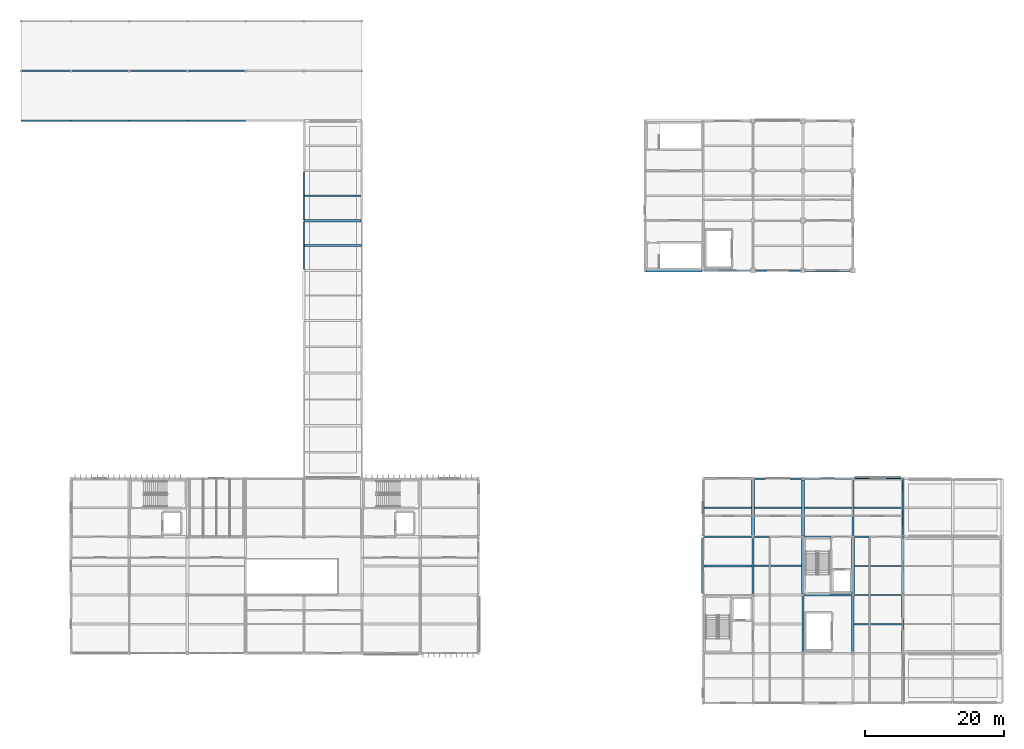
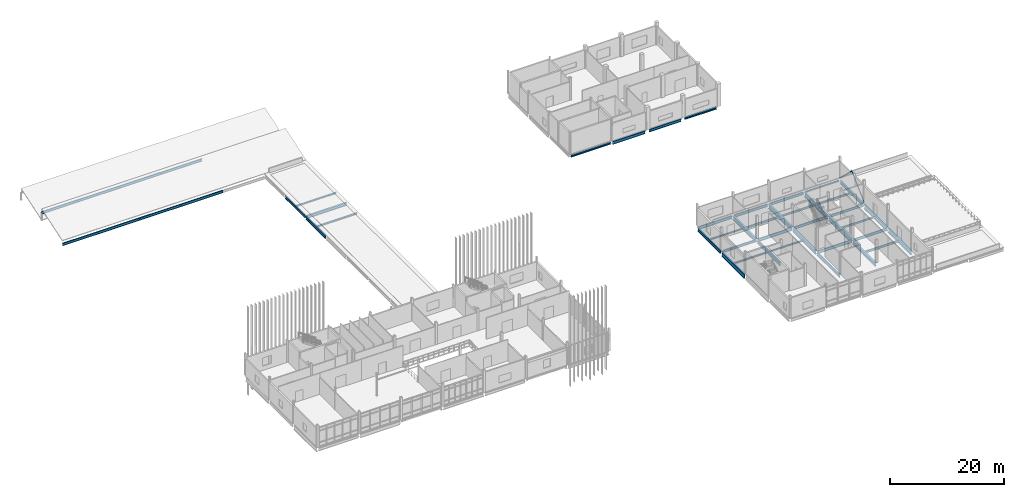
# One storey, part 26 of 72: 48 beams, 2 members.
"""IFC4 building model written with IfcOpenShell, lengths in metres."""

from ifc_helpers import new_model, si_unit, direction, frame, origin, origin_2d, place, context, subcontext, project, spatial, hollow_rectangle, i_section, extrude, material, material_profile, profile_set, type_object, element, save


model = new_model("IFC4")

# Units and contexts
model_context = context("Model", 3, precision=1e-05, world=origin(), true_north=direction((0.0, 1.0)))
body_context = subcontext(model_context, "Body", "Model", "MODEL_VIEW")
ifc_project = project(units=[si_unit("LENGTHUNIT", "METRE"), si_unit("AREAUNIT", "SQUARE_METRE"), si_unit("VOLUMEUNIT", "CUBIC_METRE"), si_unit("PLANEANGLEUNIT", "RADIAN"), si_unit("MASSUNIT", "GRAM", prefix="KILO")], contexts=[model_context])

# Site, building, storey
site_placement = place(None, origin())
site = spatial("IfcSite", under=ifc_project, at=site_placement, CompositionType="ELEMENT")
building_placement = place(site_placement, origin())
building = spatial("IfcBuilding", under=site, at=building_placement, Name="Calvrana Isthmian Art Gallery", CompositionType="ELEMENT")
storey_placement = place(building_placement, frame((0.0, 0.0, 15.0)))
storey = spatial("IfcBuildingStorey", under=building, at=storey_placement, Name="L03", CompositionType="ELEMENT", Elevation=15.0)

# Beams
ifc_material_1 = material(Name="Steel ASTM A992 Gr 50", Category="steel")
ifc_material_profile_1 = material_profile(ifc_material_1, i_section(OverallWidth=0.279052734375, OverallDepth=0.4619140625, WebThickness=0.0107421875, FlangeThickness=0.017333984375, FilletRadius=0.02001953125, at=origin_2d()), Name="W18X76")
ifc_profile_set_1 = profile_set([ifc_material_profile_1], Name="Steel ASTM A992 Gr 50")
beam_type_1 = type_object("IfcBeamType", Name="BM-G-W18X76", PredefinedType="BEAM", material=ifc_profile_set_1)
beam_1_placement = place(storey_placement, frame((112.998046875, 38.39990234375, -0.47607421875), z_axis=(1.0, 0.0, 0.0), x_axis=(0.0, 1.0, 0.0)))
element("IfcBeam", 1, at=beam_1_placement, inside=storey, type_object=beam_type_1, Name="Girder X L03 15-16/F", PredefinedType="BEAM", context=body_context, shape_type="SweptSolid", body=[
    extrude(i_section(OverallWidth=0.279052734375, OverallDepth=0.4619140625, WebThickness=0.0107421875, FlangeThickness=0.017333984375, FilletRadius=0.02001953125, at=origin_2d()), origin(), (0.0, 0.0, 1.0), 6.804931640625),
])
ifc_material_profile_2 = material_profile(ifc_material_1, i_section(OverallWidth=0.208984375, OverallDepth=0.532958984375, WebThickness=0.01025390625, FlangeThickness=0.015625, FilletRadius=0.02099609375, at=origin_2d()), Name="W21X62")
ifc_profile_set_2 = profile_set([ifc_material_profile_2], Name="Steel ASTM A992 Gr 50")
beam_type_2 = type_object("IfcBeamType", Name="BM-G-W21X62", PredefinedType="BEAM", material=ifc_profile_set_2)
beam_2_placement = place(storey_placement, frame((134.599609375, 38.39990234375, -0.511474609375), z_axis=(1.0, 0.0, 0.0), x_axis=(0.0, 1.0, 0.0)))
element("IfcBeam", 2, at=beam_2_placement, inside=storey, type_object=beam_type_2, Name="Girder X L03 18-19/F", PredefinedType="BEAM", context=body_context, shape_type="SweptSolid", body=[
    extrude(i_section(OverallWidth=0.208984375, OverallDepth=0.532958984375, WebThickness=0.01025390625, FlangeThickness=0.015625, FilletRadius=0.02099609375, at=origin_2d()), origin(), (0.0, 0.0, 1.0), 6.802490234375),
])
beam_3_placement = place(storey_placement, frame((127.39697265625, 46.800048828125, -0.511474609375), z_axis=(1.0, 0.0, 0.0), x_axis=(0.0, 1.0, 0.0)))
element("IfcBeam", 3, at=beam_3_placement, inside=storey, type_object=beam_type_2, Name="Girder X L03 17-18/G", PredefinedType="BEAM", context=body_context, shape_type="SweptSolid", body=[
    extrude(i_section(OverallWidth=0.208984375, OverallDepth=0.532958984375, WebThickness=0.01025390625, FlangeThickness=0.015625, FilletRadius=0.02099609375, at=origin_2d()), origin(), (0.0, 0.0, 1.0), 6.81640625),
])
beam_4_placement = place(storey_placement, frame((55.199951171875, 84.1015625, -0.511474609375), z_axis=(0.0, 1.0, 0.0), x_axis=(-1.0, 0.0, 0.0)))
element("IfcBeam", 4, at=beam_4_placement, inside=storey, type_object=beam_type_2, Name="Girder Y L03 08/L-M", PredefinedType="BEAM", context=body_context, shape_type="SweptSolid", body=[
    extrude(i_section(OverallWidth=0.208984375, OverallDepth=0.532958984375, WebThickness=0.01025390625, FlangeThickness=0.015625, FilletRadius=0.02099609375, at=origin_2d()), origin(), (0.0, 0.0, 1.0), 6.971435546875),
])
beam_5_placement = place(storey_placement, frame((14.39990234375, 98.39990234375, -0.820068359375), z_axis=(1.0, 0.0, 0.0), x_axis=(0.0, 1.0, 0.0)))
element("IfcBeam", 5, at=beam_5_placement, inside=storey, type_object=beam_type_2, Name="Sloped roof rafter SROOF_V6_SAW1-14", PredefinedType="BEAM", context=body_context, shape_type="SweptSolid", body=[
    extrude(i_section(OverallWidth=0.208984375, OverallDepth=0.532958984375, WebThickness=0.01025390625, FlangeThickness=0.015625, FilletRadius=0.02099609375, at=origin_2d()), origin(), (0.0, 0.0, 1.0), 7.2001953125),
])
for number, where, z_axis, x_axis, name in (
    (6, (21.60009765625, 98.39990234375, -0.820068359375), (1.0, 0.0, 0.0), (0.0, 1.0, 0.0), "Sloped roof rafter SROOF_V6_SAW1-15"),
    (7, (30.0, 98.39990234375, -0.820068359375), (1.0, 0.0, 0.0), (0.0, 1.0, 0.0), "Sloped roof rafter SROOF_V6_SAW1-16"),
):
    element("IfcBeam", number, at=place(storey_placement, frame(where, z_axis=z_axis, x_axis=x_axis)), inside=storey, type_object=beam_type_2, Name=name, PredefinedType="BEAM", context=body_context, shape_type="SweptSolid", body=[
        extrude(i_section(OverallWidth=0.208984375, OverallDepth=0.532958984375, WebThickness=0.01025390625, FlangeThickness=0.015625, FilletRadius=0.02099609375, at=origin_2d()), origin(), (0.0, 0.0, 1.0), 8.39990234375),
    ])
beam_6_placement = place(storey_placement, frame((38.39990234375, 98.39990234375, -0.820068359375), z_axis=(1.0, 0.0, 0.0), x_axis=(0.0, 1.0, 0.0)))
element("IfcBeam", 8, at=beam_6_placement, inside=storey, type_object=beam_type_2, Name="Sloped roof rafter SROOF_V6_SAW1-17", PredefinedType="BEAM", context=body_context, shape_type="SweptSolid", body=[
    extrude(i_section(OverallWidth=0.208984375, OverallDepth=0.532958984375, WebThickness=0.01025390625, FlangeThickness=0.015625, FilletRadius=0.02099609375, at=origin_2d()), origin(), (0.0, 0.0, 1.0), 8.400146484375),
])
beam_7_placement = place(storey_placement, frame((14.39990234375, 105.60009765625, 1.580078125), z_axis=(1.0, 0.0, 0.0), x_axis=(0.0, 1.0, 0.0)))
element("IfcBeam", 9, at=beam_7_placement, inside=storey, type_object=beam_type_2, Name="Sloped roof rafter SROOF_V6_SAW1-19", PredefinedType="BEAM", context=body_context, shape_type="SweptSolid", body=[
    extrude(i_section(OverallWidth=0.208984375, OverallDepth=0.532958984375, WebThickness=0.01025390625, FlangeThickness=0.015625, FilletRadius=0.02099609375, at=origin_2d()), origin(), (0.0, 0.0, 1.0), 7.2001953125),
])
for number, where, z_axis, x_axis, name in (
    (10, (21.60009765625, 105.60009765625, 1.580078125), (1.0, 0.0, 0.0), (0.0, 1.0, 0.0), "Sloped roof rafter SROOF_V6_SAW1-20"),
    (11, (30.0, 105.60009765625, 1.580078125), (1.0, 0.0, 0.0), (0.0, 1.0, 0.0), "Sloped roof rafter SROOF_V6_SAW1-21"),
):
    element("IfcBeam", number, at=place(storey_placement, frame(where, z_axis=z_axis, x_axis=x_axis)), inside=storey, type_object=beam_type_2, Name=name, PredefinedType="BEAM", context=body_context, shape_type="SweptSolid", body=[
        extrude(i_section(OverallWidth=0.208984375, OverallDepth=0.532958984375, WebThickness=0.01025390625, FlangeThickness=0.015625, FilletRadius=0.02099609375, at=origin_2d()), origin(), (0.0, 0.0, 1.0), 8.39990234375),
    ])
beam_8_placement = place(storey_placement, frame((38.39990234375, 105.60009765625, 1.580078125), z_axis=(1.0, 0.0, 0.0), x_axis=(0.0, 1.0, 0.0)))
element("IfcBeam", 12, at=beam_8_placement, inside=storey, type_object=beam_type_2, Name="Sloped roof rafter SROOF_V6_SAW1-22", PredefinedType="BEAM", context=body_context, shape_type="SweptSolid", body=[
    extrude(i_section(OverallWidth=0.208984375, OverallDepth=0.532958984375, WebThickness=0.01025390625, FlangeThickness=0.015625, FilletRadius=0.02099609375, at=origin_2d()), origin(), (0.0, 0.0, 1.0), 8.400146484375),
])
ifc_material_profile_3 = material_profile(ifc_material_1, i_section(OverallWidth=0.214111328125, OverallDepth=0.549072265625, WebThickness=0.0146484375, FlangeThickness=0.023681640625, FilletRadius=0.02099609375, at=origin_2d()), Name="W21X93")
ifc_profile_set_3 = profile_set([ifc_material_profile_3], Name="Steel ASTM A992 Gr 50")
beam_type_3 = type_object("IfcBeamType", Name="BM-G-W21X93", PredefinedType="BEAM", material=ifc_profile_set_3)
beam_9_placement = place(storey_placement, frame((134.597900390625, 30.0, -0.51953125), z_axis=(1.0, 0.0, 0.0), x_axis=(0.0, 1.0, 0.0)))
element("IfcBeam", 13, at=beam_9_placement, inside=storey, type_object=beam_type_3, Name="Girder X L03 18-19/E", PredefinedType="BEAM", context=body_context, shape_type="SweptSolid", body=[
    extrude(i_section(OverallWidth=0.214111328125, OverallDepth=0.549072265625, WebThickness=0.0146484375, FlangeThickness=0.023681640625, FilletRadius=0.02099609375, at=origin_2d()), origin(), (0.0, 0.0, 1.0), 6.80517578125),
])
beam_10_placement = place(storey_placement, frame((127.386474609375, 38.39990234375, -0.51953125), z_axis=(1.0, 0.0, 0.0), x_axis=(0.0, 1.0, 0.0)))
element("IfcBeam", 14, at=beam_10_placement, inside=storey, type_object=beam_type_3, Name="Girder X L03 17-18/F", PredefinedType="BEAM", context=body_context, shape_type="SweptSolid", body=[
    extrude(i_section(OverallWidth=0.214111328125, OverallDepth=0.549072265625, WebThickness=0.0146484375, FlangeThickness=0.023681640625, FilletRadius=0.02099609375, at=origin_2d()), origin(), (0.0, 0.0, 1.0), 6.81396484375),
])
beam_11_placement = place(storey_placement, frame((120.197998046875, 46.800048828125, -0.51953125), z_axis=(1.0, 0.0, 0.0), x_axis=(0.0, 1.0, 0.0)))
element("IfcBeam", 15, at=beam_11_placement, inside=storey, type_object=beam_type_3, Name="Girder X L03 16-17/G", PredefinedType="BEAM", context=body_context, shape_type="SweptSolid", body=[
    extrude(i_section(OverallWidth=0.214111328125, OverallDepth=0.549072265625, WebThickness=0.0146484375, FlangeThickness=0.023681640625, FilletRadius=0.02099609375, at=origin_2d()), origin(), (0.0, 0.0, 1.0), 6.804931640625),
])
beam_12_placement = place(storey_placement, frame((120.39990234375, 76.800048828125, -0.51953125), z_axis=(1.0, 0.0, 0.0), x_axis=(0.0, 1.0, 0.0)))
element("IfcBeam", 16, at=beam_12_placement, inside=storey, type_object=beam_type_3, Name="Girder X L03 16-17/K", PredefinedType="BEAM", context=body_context, shape_type="SweptSolid", body=[
    extrude(i_section(OverallWidth=0.214111328125, OverallDepth=0.549072265625, WebThickness=0.0146484375, FlangeThickness=0.023681640625, FilletRadius=0.02099609375, at=origin_2d()), origin(), (0.0, 0.0, 1.0), 6.4501953125),
])
ifc_material_profile_4 = material_profile(ifc_material_1, i_section(OverallWidth=0.324951171875, OverallDepth=0.612060546875, WebThickness=0.0126953125, FlangeThickness=0.01904296875, FilletRadius=0.02197265625, at=origin_2d()), Name="W24X104")
ifc_profile_set_4 = profile_set([ifc_material_profile_4], Name="Steel ASTM A992 Gr 50")
beam_type_4 = type_object("IfcBeamType", Name="BM-G-W24X104", PredefinedType="BEAM", material=ifc_profile_set_4)
beam_13_placement = place(storey_placement, frame((55.301513671875, 84.0, -0.551025390625), z_axis=(1.0, 0.0, 0.0), x_axis=(0.0, 1.0, 0.0)))
element("IfcBeam", 17, at=beam_13_placement, inside=storey, type_object=beam_type_4, Name="Girder X L03 08-09/L", PredefinedType="BEAM", context=body_context, shape_type="SweptSolid", body=[
    extrude(i_section(OverallWidth=0.324951171875, OverallDepth=0.612060546875, WebThickness=0.0126953125, FlangeThickness=0.01904296875, FilletRadius=0.02197265625, at=origin_2d()), origin(), (0.0, 0.0, 1.0), 8.14599609375),
])
ifc_material_profile_5 = material_profile(ifc_material_1, i_section(OverallWidth=0.22802734375, OverallDepth=0.60693359375, WebThickness=0.01123046875, FlangeThickness=0.017333984375, FilletRadius=0.02197265625, at=origin_2d()), Name="W24X76")
ifc_profile_set_5 = profile_set([ifc_material_profile_5], Name="Steel ASTM A992 Gr 50")
beam_type_5 = type_object("IfcBeamType", Name="BM-G-W24X76", PredefinedType="BEAM", material=ifc_profile_set_5)
beam_14_placement = place(storey_placement, frame((127.3994140625, 30.0, -0.548583984375), z_axis=(1.0, 0.0, 0.0), x_axis=(0.0, 1.0, 0.0)))
element("IfcBeam", 18, at=beam_14_placement, inside=storey, type_object=beam_type_5, Name="Girder X L03 17-18/E", PredefinedType="BEAM", context=body_context, shape_type="SweptSolid", body=[
    extrude(i_section(OverallWidth=0.22802734375, OverallDepth=0.60693359375, WebThickness=0.01123046875, FlangeThickness=0.017333984375, FilletRadius=0.02197265625, at=origin_2d()), origin(), (0.0, 0.0, 1.0), 6.802490234375),
])
beam_15_placement = place(storey_placement, frame((120.197021484375, 38.39990234375, -0.548583984375), z_axis=(1.0, 0.0, 0.0), x_axis=(0.0, 1.0, 0.0)))
element("IfcBeam", 19, at=beam_15_placement, inside=storey, type_object=beam_type_5, Name="Girder X L03 16-17/F", PredefinedType="BEAM", context=body_context, shape_type="SweptSolid", body=[
    extrude(i_section(OverallWidth=0.22802734375, OverallDepth=0.60693359375, WebThickness=0.01123046875, FlangeThickness=0.017333984375, FilletRadius=0.02197265625, at=origin_2d()), origin(), (0.0, 0.0, 1.0), 6.81640625),
])
beam_16_placement = place(storey_placement, frame((112.99951171875, 46.800048828125, -0.548583984375), z_axis=(1.0, 0.0, 0.0), x_axis=(0.0, 1.0, 0.0)))
element("IfcBeam", 20, at=beam_16_placement, inside=storey, type_object=beam_type_5, Name="Girder X L03 15-16/G", PredefinedType="BEAM", context=body_context, shape_type="SweptSolid", body=[
    extrude(i_section(OverallWidth=0.22802734375, OverallDepth=0.60693359375, WebThickness=0.01123046875, FlangeThickness=0.017333984375, FilletRadius=0.02197265625, at=origin_2d()), origin(), (0.0, 0.0, 1.0), 6.802490234375),
])
beam_17_placement = place(storey_placement, frame((112.986572265625, 76.800048828125, -0.548583984375), z_axis=(1.0, 0.0, 0.0), x_axis=(0.0, 1.0, 0.0)))
element("IfcBeam", 21, at=beam_17_placement, inside=storey, type_object=beam_type_5, Name="Girder X L03 15-16/K", PredefinedType="BEAM", context=body_context, shape_type="SweptSolid", body=[
    extrude(i_section(OverallWidth=0.22802734375, OverallDepth=0.60693359375, WebThickness=0.01123046875, FlangeThickness=0.017333984375, FilletRadius=0.02197265625, at=origin_2d()), origin(), (0.0, 0.0, 1.0), 6.613525390625),
])
beam_18_placement = place(storey_placement, frame((55.199951171875, 76.952392578125, -0.548583984375), z_axis=(0.0, 1.0, 0.0), x_axis=(-1.0, 0.0, 0.0)))
element("IfcBeam", 22, at=beam_18_placement, inside=storey, type_object=beam_type_5, Name="Girder Y L03 08/K-L", PredefinedType="BEAM", context=body_context, shape_type="SweptSolid", body=[
    extrude(i_section(OverallWidth=0.22802734375, OverallDepth=0.60693359375, WebThickness=0.01123046875, FlangeThickness=0.017333984375, FilletRadius=0.02197265625, at=origin_2d()), origin(), (0.0, 0.0, 1.0), 6.946044921875),
])
ifc_material_profile_6 = material_profile(ifc_material_1, i_section(OverallWidth=0.257080078125, OverallDepth=0.693115234375, WebThickness=0.014404296875, FlangeThickness=0.023681640625, FilletRadius=0.02392578125, at=origin_2d()), Name="W27X114")
ifc_profile_set_6 = profile_set([ifc_material_profile_6], Name="Steel ASTM A992 Gr 50")
beam_type_6 = type_object("IfcBeamType", Name="BM-G-W27X114", PredefinedType="BEAM", material=ifc_profile_set_6)
beam_19_placement = place(storey_placement, frame((112.800048828125, 38.590576171875, -0.591552734375), z_axis=(0.0, 1.0, 0.0), x_axis=(-1.0, 0.0, 0.0)))
element("IfcBeam", 23, at=beam_19_placement, inside=storey, type_object=beam_type_6, Name="Girder Y L03 15/F-G", PredefinedType="BEAM", context=body_context, shape_type="SweptSolid", body=[
    extrude(i_section(OverallWidth=0.257080078125, OverallDepth=0.693115234375, WebThickness=0.014404296875, FlangeThickness=0.023681640625, FilletRadius=0.02392578125, at=origin_2d()), origin(), (0.0, 0.0, 1.0), 8.016357421875),
])
beam_20_placement = place(storey_placement, frame((120.0, 30.1865234375, -0.591552734375), z_axis=(0.0, 1.0, 0.0), x_axis=(-1.0, 0.0, 0.0)))
element("IfcBeam", 24, at=beam_20_placement, inside=storey, type_object=beam_type_6, Name="Girder Y L03 16/E-F", PredefinedType="BEAM", context=body_context, shape_type="SweptSolid", body=[
    extrude(i_section(OverallWidth=0.257080078125, OverallDepth=0.693115234375, WebThickness=0.014404296875, FlangeThickness=0.023681640625, FilletRadius=0.02392578125, at=origin_2d()), origin(), (0.0, 0.0, 1.0), 8.025390625),
])
for number, where, z_axis, x_axis, name in (
    (25, (127.199951171875, 21.79052734375, -0.591552734375), (0.0, 1.0, 0.0), (-1.0, 0.0, 0.0), "Girder Y L03 17/D-E"),
    (26, (141.60009765625, 38.590576171875, -0.591552734375), (0.0, 1.0, 0.0), (-1.0, 0.0, 0.0), "Girder Y L03 19/F-G"),
):
    element("IfcBeam", number, at=place(storey_placement, frame(where, z_axis=z_axis, x_axis=x_axis)), inside=storey, type_object=beam_type_6, Name=name, PredefinedType="BEAM", context=body_context, shape_type="SweptSolid", body=[
        extrude(i_section(OverallWidth=0.257080078125, OverallDepth=0.693115234375, WebThickness=0.014404296875, FlangeThickness=0.023681640625, FilletRadius=0.02392578125, at=origin_2d()), origin(), (0.0, 0.0, 1.0), 8.016357421875),
    ])
ifc_material_profile_7 = material_profile(ifc_material_1, i_section(OverallWidth=0.381103515625, OverallDepth=0.77197265625, WebThickness=0.0166015625, FlangeThickness=0.027099609375, FilletRadius=0.02490234375, at=origin_2d()), Name="W30X173")
ifc_profile_set_7 = profile_set([ifc_material_profile_7], Name="Steel ASTM A992 Gr 50")
beam_type_7 = type_object("IfcBeamType", Name="BM-G-W30X173", PredefinedType="BEAM", material=ifc_profile_set_7)
beam_21_placement = place(storey_placement, frame((120.0, 38.587890625, -0.631103515625), z_axis=(0.0, 1.0, 0.0), x_axis=(-1.0, 0.0, 0.0)))
element("IfcBeam", 27, at=beam_21_placement, inside=storey, type_object=beam_type_7, Name="Girder Y L03 16/F-G", PredefinedType="BEAM", context=body_context, shape_type="SweptSolid", body=[
    extrude(i_section(OverallWidth=0.381103515625, OverallDepth=0.77197265625, WebThickness=0.0166015625, FlangeThickness=0.027099609375, FilletRadius=0.02490234375, at=origin_2d()), origin(), (0.0, 0.0, 1.0), 8.021728515625),
])
beam_22_placement = place(storey_placement, frame((127.199951171875, 30.193115234375, -0.631103515625), z_axis=(0.0, 1.0, 0.0), x_axis=(-1.0, 0.0, 0.0)))
element("IfcBeam", 28, at=beam_22_placement, inside=storey, type_object=beam_type_7, Name="Girder Y L03 17/E-F", PredefinedType="BEAM", context=body_context, shape_type="SweptSolid", body=[
    extrude(i_section(OverallWidth=0.381103515625, OverallDepth=0.77197265625, WebThickness=0.0166015625, FlangeThickness=0.027099609375, FilletRadius=0.02490234375, at=origin_2d()), origin(), (0.0, 0.0, 1.0), 8.020263671875),
])
beam_23_placement = place(storey_placement, frame((134.39990234375, 21.7880859375, -0.631103515625), z_axis=(0.0, 1.0, 0.0), x_axis=(-1.0, 0.0, 0.0)))
element("IfcBeam", 29, at=beam_23_placement, inside=storey, type_object=beam_type_7, Name="Girder Y L03 18/D-E", PredefinedType="BEAM", context=body_context, shape_type="SweptSolid", body=[
    extrude(i_section(OverallWidth=0.381103515625, OverallDepth=0.77197265625, WebThickness=0.0166015625, FlangeThickness=0.027099609375, FilletRadius=0.02490234375, at=origin_2d()), origin(), (0.0, 0.0, 1.0), 8.021484375),
])
ifc_material_profile_8 = material_profile(ifc_material_1, i_section(OverallWidth=0.40087890625, OverallDepth=0.85595703125, WebThickness=0.018310546875, FlangeThickness=0.029296875, FilletRadius=0.02587890625, at=origin_2d()), Name="W33X201")
ifc_profile_set_8 = profile_set([ifc_material_profile_8], Name="Steel ASTM A992 Gr 50")
beam_type_8 = type_object("IfcBeamType", Name="BM-G-W33X201", PredefinedType="BEAM", material=ifc_profile_set_8)
beam_24_placement = place(storey_placement, frame((127.199951171875, 38.58642578125, -0.673095703125), z_axis=(0.0, 1.0, 0.0), x_axis=(-1.0, 0.0, 0.0)))
element("IfcBeam", 30, at=beam_24_placement, inside=storey, type_object=beam_type_8, Name="Girder Y L03 17/F-G", PredefinedType="BEAM", context=body_context, shape_type="SweptSolid", body=[
    extrude(i_section(OverallWidth=0.40087890625, OverallDepth=0.85595703125, WebThickness=0.018310546875, FlangeThickness=0.029296875, FilletRadius=0.02587890625, at=origin_2d()), origin(), (0.0, 0.0, 1.0), 8.025634765625),
])
beam_25_placement = place(storey_placement, frame((134.39990234375, 30.1904296875, -0.673095703125), z_axis=(0.0, 1.0, 0.0), x_axis=(-1.0, 0.0, 0.0)))
element("IfcBeam", 31, at=beam_25_placement, inside=storey, type_object=beam_type_8, Name="Girder Y L03 18/E-F", PredefinedType="BEAM", context=body_context, shape_type="SweptSolid", body=[
    extrude(i_section(OverallWidth=0.40087890625, OverallDepth=0.85595703125, WebThickness=0.018310546875, FlangeThickness=0.029296875, FilletRadius=0.02587890625, at=origin_2d()), origin(), (0.0, 0.0, 1.0), 8.0166015625),
])
beam_26_placement = place(storey_placement, frame((141.60009765625, 21.78662109375, -0.673095703125), z_axis=(0.0, 1.0, 0.0), x_axis=(-1.0, 0.0, 0.0)))
element("IfcBeam", 32, at=beam_26_placement, inside=storey, type_object=beam_type_8, Name="Girder Y L03 19/D-E", PredefinedType="BEAM", context=body_context, shape_type="SweptSolid", body=[
    extrude(i_section(OverallWidth=0.40087890625, OverallDepth=0.85595703125, WebThickness=0.018310546875, FlangeThickness=0.029296875, FilletRadius=0.02587890625, at=origin_2d()), origin(), (0.0, 0.0, 1.0), 8.025390625),
])
ifc_material_profile_9 = material_profile(ifc_material_1, i_section(OverallWidth=0.306884765625, OverallDepth=0.927001953125, WebThickness=0.019287109375, FlangeThickness=0.031982421875, FilletRadius=0.028076171875, at=origin_2d()), Name="W36X194")
ifc_profile_set_9 = profile_set([ifc_material_profile_9], Name="Steel ASTM A992 Gr 50")
beam_type_9 = type_object("IfcBeamType", Name="BM-G-W36X194", PredefinedType="BEAM", material=ifc_profile_set_9)
beam_27_placement = place(storey_placement, frame((112.800048828125, 30.18798828125, -0.70849609375), z_axis=(0.0, 1.0, 0.0), x_axis=(-1.0, 0.0, 0.0)))
element("IfcBeam", 33, at=beam_27_placement, inside=storey, type_object=beam_type_9, Name="Girder Y L03 15/E-F", PredefinedType="BEAM", context=body_context, shape_type="SweptSolid", body=[
    extrude(i_section(OverallWidth=0.306884765625, OverallDepth=0.927001953125, WebThickness=0.019287109375, FlangeThickness=0.031982421875, FilletRadius=0.028076171875, at=origin_2d()), origin(), (0.0, 0.0, 1.0), 8.021484375),
])
beam_28_placement = place(storey_placement, frame((134.39990234375, 38.593017578125, -0.70849609375), z_axis=(0.0, 1.0, 0.0), x_axis=(-1.0, 0.0, 0.0)))
element("IfcBeam", 34, at=beam_28_placement, inside=storey, type_object=beam_type_9, Name="Girder Y L03 18/F-G", PredefinedType="BEAM", context=body_context, shape_type="SweptSolid", body=[
    extrude(i_section(OverallWidth=0.306884765625, OverallDepth=0.927001953125, WebThickness=0.019287109375, FlangeThickness=0.031982421875, FilletRadius=0.028076171875, at=origin_2d()), origin(), (0.0, 0.0, 1.0), 8.0205078125),
])
beam_29_placement = place(storey_placement, frame((141.60009765625, 30.18798828125, -0.70849609375), z_axis=(0.0, 1.0, 0.0), x_axis=(-1.0, 0.0, 0.0)))
element("IfcBeam", 35, at=beam_29_placement, inside=storey, type_object=beam_type_9, Name="Girder Y L03 19/E-F", PredefinedType="BEAM", context=body_context, shape_type="SweptSolid", body=[
    extrude(i_section(OverallWidth=0.306884765625, OverallDepth=0.927001953125, WebThickness=0.019287109375, FlangeThickness=0.031982421875, FilletRadius=0.028076171875, at=origin_2d()), origin(), (0.0, 0.0, 1.0), 8.021484375),
])
ifc_material_profile_10 = material_profile(ifc_material_1, i_section(OverallWidth=0.202880859375, OverallDepth=0.302001953125, WebThickness=0.007568359375, FlangeThickness=0.01318359375, FilletRadius=0.01611328125, at=origin_2d()), Name="W12X40")
ifc_profile_set_10 = profile_set([ifc_material_profile_10], Name="Steel ASTM A992 Gr 50")
beam_type_10 = type_object("IfcBeamType", Name="BM-J-W12X40", PredefinedType="JOIST", material=ifc_profile_set_10)
for number, where, z_axis, x_axis, name in (
    (36, (112.928466796875, 42.60009765625, -0.39599609375), (1.0, 0.0, 0.0), (0.0, 1.0, 0.0), "Composite joist L03 bay 14-05"),
    (37, (120.12841796875, 34.199951171875, -0.39599609375), (1.0, 0.0, 0.0), (0.0, 1.0, 0.0), "Composite joist L03 bay 15-04"),
):
    element("IfcBeam", number, at=place(storey_placement, frame(where, z_axis=z_axis, x_axis=x_axis)), inside=storey, type_object=beam_type_10, Name=name, PredefinedType="JOIST", context=body_context, shape_type="SweptSolid", body=[
        extrude(i_section(OverallWidth=0.202880859375, OverallDepth=0.302001953125, WebThickness=0.007568359375, FlangeThickness=0.01318359375, FilletRadius=0.01611328125, at=origin_2d()), origin(), (0.0, 0.0, 1.0), 6.881103515625),
    ])
ifc_material_profile_11 = material_profile(ifc_material_1, i_section(OverallWidth=0.25390625, OverallDepth=0.306884765625, WebThickness=0.0087890625, FlangeThickness=0.0146484375, FilletRadius=0.01611328125, at=origin_2d()), Name="W12X53")
ifc_profile_set_11 = profile_set([ifc_material_profile_11], Name="Steel ASTM A992 Gr 50")
beam_type_11 = type_object("IfcBeamType", Name="BM-J-W12X53", PredefinedType="JOIST", material=ifc_profile_set_11)
beam_30_placement = place(storey_placement, frame((55.304443359375, 87.60009765625, -0.3984375), z_axis=(1.0, 0.0, 0.0), x_axis=(0.0, 1.0, 0.0)))
element("IfcBeam", 38, at=beam_30_placement, inside=storey, type_object=beam_type_11, Name="Composite joist L03 bay 07-11", PredefinedType="JOIST", context=body_context, shape_type="SweptSolid", body=[
    extrude(i_section(OverallWidth=0.25390625, OverallDepth=0.306884765625, WebThickness=0.0087890625, FlangeThickness=0.0146484375, FilletRadius=0.01611328125, at=origin_2d()), origin(), (0.0, 0.0, 1.0), 8.156005859375),
])
beam_31_placement = place(storey_placement, frame((112.95361328125, 34.199951171875, -0.3984375), z_axis=(1.0, 0.0, 0.0), x_axis=(0.0, 1.0, 0.0)))
element("IfcBeam", 39, at=beam_31_placement, inside=storey, type_object=beam_type_11, Name="Composite joist L03 bay 14-04", PredefinedType="JOIST", context=body_context, shape_type="SweptSolid", body=[
    extrude(i_section(OverallWidth=0.25390625, OverallDepth=0.306884765625, WebThickness=0.0087890625, FlangeThickness=0.0146484375, FilletRadius=0.01611328125, at=origin_2d()), origin(), (0.0, 0.0, 1.0), 6.91796875),
])
ifc_material_profile_12 = material_profile(ifc_material_1, i_section(OverallWidth=0.25390625, OverallDepth=0.35302734375, WebThickness=0.009521484375, FlangeThickness=0.016357421875, FilletRadius=0.01806640625, at=origin_2d()), Name="W14X61")
ifc_profile_set_12 = profile_set([ifc_material_profile_12], Name="Steel ASTM A992 Gr 50")
beam_type_12 = type_object("IfcBeamType", Name="BM-J-W14X61", PredefinedType="JOIST", material=ifc_profile_set_12)
beam_32_placement = place(storey_placement, frame((55.31396484375, 80.39990234375, -0.42138671875), z_axis=(1.0, 0.0, 0.0), x_axis=(0.0, 1.0, 0.0)))
element("IfcBeam", 40, at=beam_32_placement, inside=storey, type_object=beam_type_12, Name="Composite joist L03 bay 07-10", PredefinedType="JOIST", context=body_context, shape_type="SweptSolid", body=[
    extrude(i_section(OverallWidth=0.25390625, OverallDepth=0.35302734375, WebThickness=0.009521484375, FlangeThickness=0.016357421875, FilletRadius=0.01806640625, at=origin_2d()), origin(), (0.0, 0.0, 1.0), 8.181640625),
])
ifc_material_profile_13 = material_profile(ifc_material_1, i_section(OverallWidth=0.177978515625, OverallDepth=0.404052734375, WebThickness=0.007568359375, FlangeThickness=0.010986328125, FilletRadius=0.01806640625, at=origin_2d()), Name="W16X36")
ifc_profile_set_13 = profile_set([ifc_material_profile_13], Name="Steel ASTM A992 Gr 50")
beam_type_13 = type_object("IfcBeamType", Name="BM-J-W16X36", PredefinedType="JOIST", material=ifc_profile_set_13)
beam_33_placement = place(storey_placement, frame((134.553466796875, 42.60009765625, -0.447021484375), z_axis=(1.0, 0.0, 0.0), x_axis=(0.0, 1.0, 0.0)))
element("IfcBeam", 41, at=beam_33_placement, inside=storey, type_object=beam_type_13, Name="Composite joist L03 bay 17-05", PredefinedType="JOIST", context=body_context, shape_type="SweptSolid", body=[
    extrude(i_section(OverallWidth=0.177978515625, OverallDepth=0.404052734375, WebThickness=0.007568359375, FlangeThickness=0.010986328125, FilletRadius=0.01806640625, at=origin_2d()), origin(), (0.0, 0.0, 1.0), 6.91796875),
])
ifc_material_profile_14 = material_profile(ifc_material_1, i_section(OverallWidth=0.179931640625, OverallDepth=0.4140625, WebThickness=0.009765625, FlangeThickness=0.01611328125, FilletRadius=0.01806640625, at=origin_2d()), Name="W16X50")
ifc_profile_set_14 = profile_set([ifc_material_profile_14], Name="Steel ASTM A992 Gr 50")
beam_type_14 = type_object("IfcBeamType", Name="BM-J-W16X50", PredefinedType="JOIST", material=ifc_profile_set_14)
beam_34_placement = place(storey_placement, frame((127.400390625, 42.60009765625, -0.451904296875), z_axis=(1.0, 0.0, 0.0), x_axis=(0.0, 1.0, 0.0)))
element("IfcBeam", 42, at=beam_34_placement, inside=storey, type_object=beam_type_14, Name="Composite joist L03 bay 16-05", PredefinedType="JOIST", context=body_context, shape_type="SweptSolid", body=[
    extrude(i_section(OverallWidth=0.179931640625, OverallDepth=0.4140625, WebThickness=0.009765625, FlangeThickness=0.01611328125, FilletRadius=0.01806640625, at=origin_2d()), origin(), (0.0, 0.0, 1.0), 6.84619140625),
])
beam_35_placement = place(storey_placement, frame((134.6005859375, 34.199951171875, -0.451904296875), z_axis=(1.0, 0.0, 0.0), x_axis=(0.0, 1.0, 0.0)))
element("IfcBeam", 43, at=beam_35_placement, inside=storey, type_object=beam_type_14, Name="Composite joist L03 bay 17-04", PredefinedType="JOIST", context=body_context, shape_type="SweptSolid", body=[
    extrude(i_section(OverallWidth=0.179931640625, OverallDepth=0.4140625, WebThickness=0.009765625, FlangeThickness=0.01611328125, FilletRadius=0.01806640625, at=origin_2d()), origin(), (0.0, 0.0, 1.0), 6.845947265625),
])
ifc_material_profile_15 = material_profile(ifc_material_1, i_section(OverallWidth=0.19091796875, OverallDepth=0.45703125, WebThickness=0.009033203125, FlangeThickness=0.014404296875, FilletRadius=0.02001953125, at=origin_2d()), Name="W18X50")
ifc_profile_set_15 = profile_set([ifc_material_profile_15], Name="Steel ASTM A992 Gr 50")
beam_type_15 = type_object("IfcBeamType", Name="BM-J-W18X50", PredefinedType="JOIST", material=ifc_profile_set_15)
beam_36_placement = place(storey_placement, frame((120.1904296875, 42.60009765625, -0.473388671875), z_axis=(1.0, 0.0, 0.0), x_axis=(0.0, 1.0, 0.0)))
element("IfcBeam", 44, at=beam_36_placement, inside=storey, type_object=beam_type_15, Name="Composite joist L03 bay 15-05", PredefinedType="JOIST", context=body_context, shape_type="SweptSolid", body=[
    extrude(i_section(OverallWidth=0.19091796875, OverallDepth=0.45703125, WebThickness=0.009033203125, FlangeThickness=0.014404296875, FilletRadius=0.02001953125, at=origin_2d()), origin(), (0.0, 0.0, 1.0), 6.80908203125),
])
beam_37_placement = place(storey_placement, frame((134.590576171875, 25.800048828125, -0.473388671875), z_axis=(1.0, 0.0, 0.0), x_axis=(0.0, 1.0, 0.0)))
element("IfcBeam", 45, at=beam_37_placement, inside=storey, type_object=beam_type_15, Name="Composite joist L03 bay 17-03", PredefinedType="JOIST", context=body_context, shape_type="SweptSolid", body=[
    extrude(i_section(OverallWidth=0.19091796875, OverallDepth=0.45703125, WebThickness=0.009033203125, FlangeThickness=0.014404296875, FilletRadius=0.02001953125, at=origin_2d()), origin(), (0.0, 0.0, 1.0), 6.808837890625),
])
ifc_material_2 = material(Name="Steel ASTM A500 Gr C", Category="steel")
ifc_material_profile_16 = material_profile(ifc_material_2, hollow_rectangle(XDim=0.203125, YDim=0.3046875, WallThickness=0.0126953125, OuterFilletRadius=0.02490234375, at=origin_2d()), Name="HSS305X203X12.7")
ifc_profile_set_16 = profile_set([ifc_material_profile_16], Name="Steel ASTM A500 Gr C")
beam_type_16 = type_object("IfcBeamType", Name="BM-SP-HSS305", PredefinedType="SPANDREL", material=ifc_profile_set_16)
beam_38_placement = place(storey_placement, frame((134.58642578125, 46.800048828125, -0.3974609375), z_axis=(1.0, 0.0, 0.0), x_axis=(0.0, 1.0, 0.0)))
element("IfcBeam", 46, at=beam_38_placement, inside=storey, type_object=beam_type_16, Name="Girder X L03 18-19/G", PredefinedType="SPANDREL", context=body_context, shape_type="SweptSolid", body=[
    extrude(hollow_rectangle(XDim=0.203125, YDim=0.3046875, WallThickness=0.0126953125, OuterFilletRadius=0.02490234375, at=origin_2d()), origin(), (0.0, 0.0, 1.0), 6.81396484375),
])
ifc_material_profile_17 = material_profile(ifc_material_1, i_section(OverallWidth=0.367919921875, OverallDepth=0.35595703125, WebThickness=0.01123046875, FlangeThickness=0.01806640625, FilletRadius=0.02490234375, at=origin_2d()), Name="W14X90")
ifc_profile_set_17 = profile_set([ifc_material_profile_17], Name="Steel ASTM A992 Gr 50")
beam_type_17 = type_object("IfcBeamType", Name="BM-SP-W14X90", PredefinedType="SPANDREL", material=ifc_profile_set_17)
beam_39_placement = place(storey_placement, frame((104.583984375, 76.800048828125, -0.423095703125), z_axis=(1.0, 0.0, 0.0), x_axis=(0.0, 1.0, 0.0)))
element("IfcBeam", 47, at=beam_39_placement, inside=storey, type_object=beam_type_17, Name="Girder X L03 14-15/K", PredefinedType="SPANDREL", context=body_context, shape_type="SweptSolid", body=[
    extrude(i_section(OverallWidth=0.367919921875, OverallDepth=0.35595703125, WebThickness=0.01123046875, FlangeThickness=0.01806640625, FilletRadius=0.02490234375, at=origin_2d()), origin(), (0.0, 0.0, 1.0), 8.029541015625),
])
beam_40_placement = place(storey_placement, frame((127.550048828125, 76.800048828125, -0.423095703125), z_axis=(1.0, 0.0, 0.0), x_axis=(0.0, 1.0, 0.0)))
element("IfcBeam", 48, at=beam_40_placement, inside=storey, type_object=beam_type_17, Name="Girder X L03 17-18/K", PredefinedType="SPANDREL", context=body_context, shape_type="SweptSolid", body=[
    extrude(i_section(OverallWidth=0.367919921875, OverallDepth=0.35595703125, WebThickness=0.01123046875, FlangeThickness=0.01806640625, FilletRadius=0.02490234375, at=origin_2d()), origin(), (0.0, 0.0, 1.0), 6.449951171875),
])

# Members
ifc_material_profile_18 = material_profile(ifc_material_2, hollow_rectangle(XDim=0.15234375, YDim=0.15234375, WallThickness=0.009521484375, OuterFilletRadius=0.01904296875, at=origin_2d()), Name="HSS152X152X9.5")
ifc_profile_set_18 = profile_set([ifc_material_profile_18], Name="Steel ASTM A500 Gr C")
member_type = type_object("IfcMemberType", Name="MB-BR-RHS152", PredefinedType="BRACE", material=ifc_profile_set_18)
member_1_placement = place(storey_placement, frame((141.60009765625, 38.39990234375, 0.14990234375), z_axis=(0.0, 0.724238035349, 0.689550047606), x_axis=(-1.0, 0.0, 0.0)))
element("IfcMember", 49, at=member_1_placement, inside=storey, type_object=member_type, Name="Chevron lateral brace L03-10A", PredefinedType="BRACE", context=body_context, shape_type="SweptSolid", body=[
    extrude(hollow_rectangle(XDim=0.15234375, YDim=0.15234375, WallThickness=0.009521484375, OuterFilletRadius=0.01904296875, at=origin_2d()), origin(), (0.0, 0.0, 1.0), 5.799560546875),
])
member_2_placement = place(storey_placement, frame((141.60009765625, 46.800048828125, 0.14990234375), z_axis=(0.0, -0.724218018148, 0.689571071166), x_axis=(1.0, 0.0, 0.0)))
element("IfcMember", 50, at=member_2_placement, inside=storey, type_object=member_type, Name="Chevron lateral brace L03-10B", PredefinedType="BRACE", context=body_context, shape_type="SweptSolid", body=[
    extrude(hollow_rectangle(XDim=0.15234375, YDim=0.15234375, WallThickness=0.009521484375, OuterFilletRadius=0.01904296875, at=origin_2d()), origin(), (0.0, 0.0, 1.0), 5.79931640625),
])

save(model, "model.ifc")
